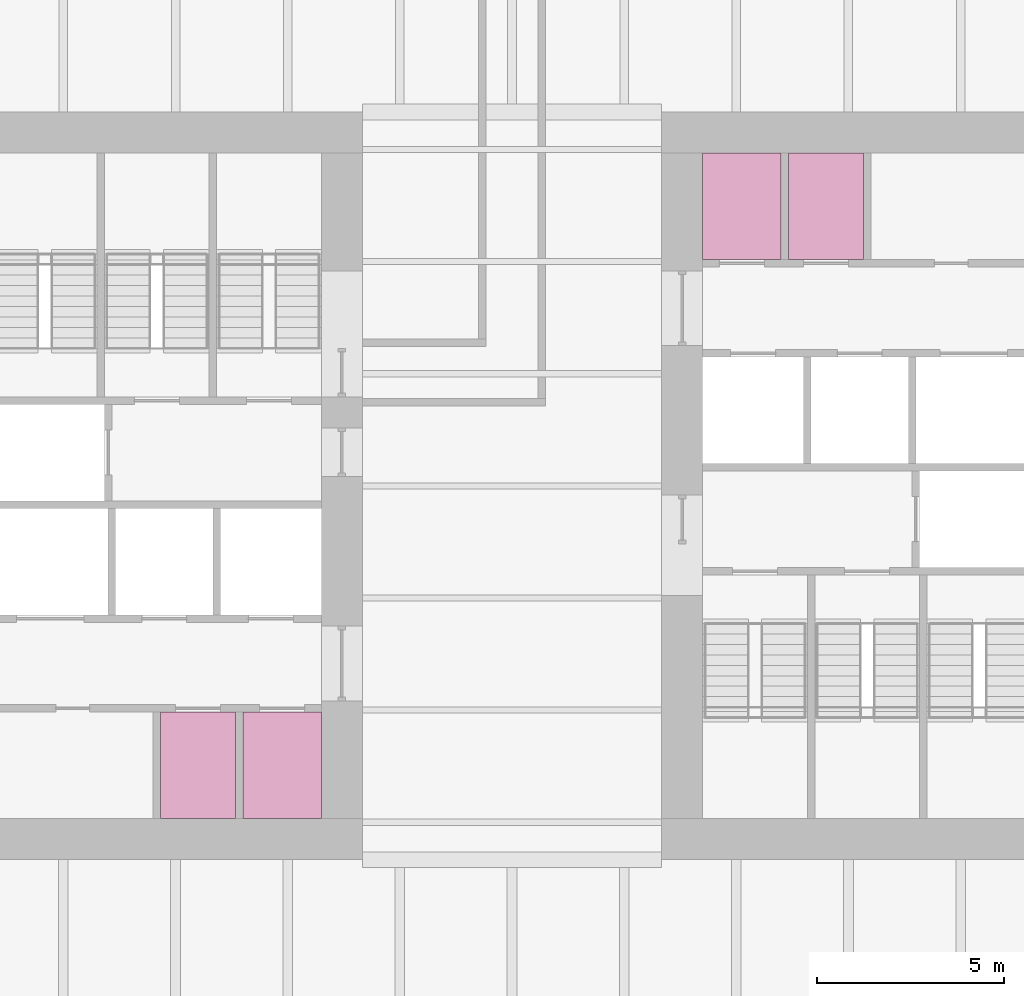
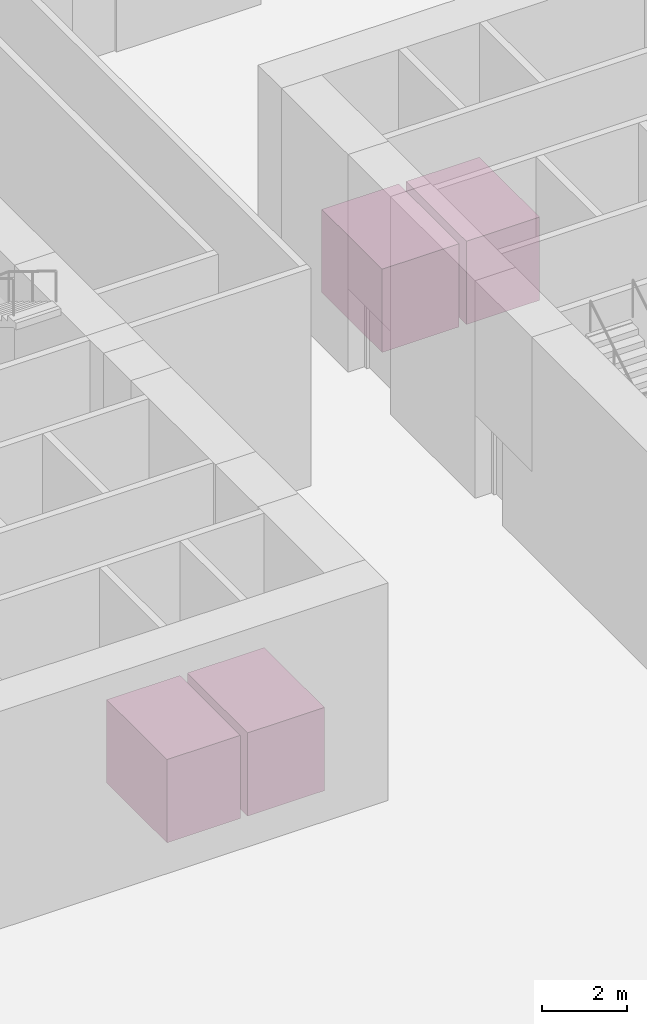
# One storey, part 26 of 28: 4 transport elements.
"""IFC4 building model written with IfcOpenShell, lengths in metres."""

import ifcopenshell
import ifcopenshell.guid

model = None  # the IFC model being written
_history = None  # IfcOwnerHistory: only IFC2X3 demands one
_inside = {}  # id of a spatial element -> (the spatial element, [elements in it])
_under = {}  # id of a project, library or spatial element -> (it, [spatial elements below it])
_declared = {}  # id of a project -> (the project, [libraries it declares])
_typed = {}  # id of a type object -> (the type object, [elements of that type])
_made_of = {}  # id of a material, layer set ... -> (it, [elements and type objects made of it])


def new_model(schema):
    """Start an empty IFC model of exactly this schema.

    Asked for "IFC4X3", IfcOpenShell would pick the latest addendum, in which some entities
    have other attributes; the version numbers below select the first issue.
    IFC2X3 requires an IfcOwnerHistory on every rooted entity: one is made here for all.
    """
    global model, _history
    if schema == "IFC4X3":
        model = ifcopenshell.file(schema_version=(4, 3, 0, 0))
    else:
        model = ifcopenshell.file(schema=schema)
    _inside.clear()
    _under.clear()
    _declared.clear()
    _typed.clear()
    _made_of.clear()
    _history = None
    if model.schema == "IFC2X3":
        org = make("IfcOrganization", Name="unknown")
        user = make(
            "IfcPersonAndOrganization",
            ThePerson=make("IfcPerson", FamilyName="unknown"),
            TheOrganization=org,
        )
        app = make(
            "IfcApplication",
            ApplicationDeveloper=org,
            Version="unknown",
            ApplicationFullName="unknown",
            ApplicationIdentifier="unknown",
        )
        _history = make(
            "IfcOwnerHistory",
            OwningUser=user,
            OwningApplication=app,
            ChangeAction="ADDED",
            CreationDate=0,
        )
    return model


def make(cls, **values):
    """One entity of the class cls with the attributes given. An attribute that is None is left unset."""
    return model.create_entity(
        cls, **{name: value for name, value in values.items() if value is not None}
    )


def rooted(cls, **values):
    """An entity with a GlobalId (a new one), such as an element, a storey or a relation."""
    return make(cls, GlobalId=ifcopenshell.guid.new(), OwnerHistory=_history, **values)


def si_unit(unit_type, name, prefix=None):
    """IfcSIUnit, for example si_unit("LENGTHUNIT", "METRE", prefix="MILLI")."""
    return make("IfcSIUnit", UnitType=unit_type, Prefix=prefix, Name=name)


def assignment(units):
    """IfcUnitAssignment: the units of a project."""
    return None if units is None else make("IfcUnitAssignment", Units=units)


def point(xyz):
    """IfcCartesianPoint."""
    return None if xyz is None else make("IfcCartesianPoint", Coordinates=xyz)


def direction(xyz):
    """IfcDirection."""
    return None if xyz is None else make("IfcDirection", DirectionRatios=xyz)


def frame(location, z_axis=None, x_axis=None):
    """IfcAxis2Placement3D, a coordinate frame: its origin and axes. An axis left out is left unset."""
    return make(
        "IfcAxis2Placement3D",
        Location=point(location),
        Axis=direction(z_axis),
        RefDirection=direction(x_axis),
    )


def frame_2d(location, x_axis=None):
    """IfcAxis2Placement2D, a coordinate frame in the plane: its origin and x axis."""
    return make(
        "IfcAxis2Placement2D", Location=point(location), RefDirection=direction(x_axis)
    )


def origin():
    """The frame at (0, 0, 0) with its axes left unset."""
    return frame((0.0, 0.0, 0.0))


def origin_2d():
    """The frame at (0, 0) in the plane with its x axis left unset."""
    return frame_2d((0.0, 0.0))


def place(relative_to, where):
    """IfcLocalPlacement: puts the frame where relative to a parent placement (None: the world)."""
    return make(
        "IfcLocalPlacement", PlacementRelTo=relative_to, RelativePlacement=where
    )


def context(
    kind, dimensions, precision=None, world=None, true_north=None, identifier=None
):
    """IfcGeometricRepresentationContext, for example the 3D "Model" context."""
    return make(
        "IfcGeometricRepresentationContext",
        ContextIdentifier=identifier,
        ContextType=kind,
        CoordinateSpaceDimension=dimensions,
        Precision=precision,
        WorldCoordinateSystem=world,
        TrueNorth=true_north,
    )


def subcontext(parent, identifier, kind, view, scale=None):
    """IfcGeometricRepresentationSubContext, for example "Body" below "Model"."""
    return make(
        "IfcGeometricRepresentationSubContext",
        ContextIdentifier=identifier,
        ContextType=kind,
        ParentContext=parent,
        TargetScale=scale,
        TargetView=view,
    )


def project(units=None, contexts=None):
    """IfcProject with its units and contexts."""
    return rooted(
        "IfcProject",
        Name="project",
        RepresentationContexts=contexts,
        UnitsInContext=assignment(units),
    )


def spatial(cls, under=None, at=None, **own):
    """A site, building, storey or space (cls), placed at a placement, below another one or the project."""
    s = rooted(cls, ObjectPlacement=at, **own)
    if under is not None:
        _under.setdefault(under.id(), (under, []))[1].append(s)
    return s


def profile(cls, at=None, kind="AREA", **sizes):
    """A parametric profile (cls). Its sizes go by their IFC names, for example OverallWidth=200.0."""
    return make(cls, ProfileType=kind, Position=at, **sizes)


def rectangle(**sizes):
    """IfcRectangleProfileDef."""
    return profile("IfcRectangleProfileDef", **sizes)


def extrude(swept, where, along, depth):
    """IfcExtrudedAreaSolid: the profile swept, set in the frame where, extruded along a direction by depth."""
    return make(
        "IfcExtrudedAreaSolid",
        SweptArea=swept,
        Position=where,
        ExtrudedDirection=direction(along),
        Depth=depth,
    )


def shape(context_of_items, identifier, shape_type, items):
    """IfcShapeRepresentation: the items that make up one representation, for example the "Body"."""
    return make(
        "IfcShapeRepresentation",
        ContextOfItems=context_of_items,
        RepresentationIdentifier=identifier,
        RepresentationType=shape_type,
        Items=items,
    )


def material(Name=None, Category=None):
    """IfcMaterial."""
    return make("IfcMaterial", Name=Name, Category=Category)


def made_of(thing, what):
    """Note that an element or type object is made of a material, layer set ...; save() writes the relation."""
    if what is not None:
        _made_of.setdefault(what.id(), (what, []))[1].append(thing)
    return thing


def type_object(cls, material=None, **own):
    """A type object (cls), such as IfcWallType, which elements share."""
    return made_of(rooted(cls, **own), material)


def element(
    cls,
    number,
    at=None,
    inside=None,
    cuts=None,
    type_object=None,
    material=None,
    context=None,
    identifier="Body",
    shape_type=None,
    held_by="IfcProductDefinitionShape",
    body=None,
    shapes=None,
    **own,
):
    """One element of the class cls, such as IfcWall. Its Tag is "e" and its number.

    at: its placement. inside: the storey or other place that contains it. cuts: it is an
    opening in that element (IfcRelVoidsElement). A single representation is given by context,
    identifier, shape_type and body (its items); several are given by shapes. held_by: the class
    of the entity that holds the representations. save() writes the other relations.
    """
    e = rooted(cls, Tag="e%d" % number, ObjectPlacement=at, **own)
    if body is not None:
        shapes = [shape(context, identifier, shape_type, body)]
    if shapes is not None:
        e.Representation = make(held_by, Representations=shapes)
    if inside is not None:
        _inside.setdefault(inside.id(), (inside, []))[1].append(e)
    if cuts is not None:
        rooted(
            "IfcRelVoidsElement", RelatingBuildingElement=cuts, RelatedOpeningElement=e
        )
    if type_object is not None:
        _typed.setdefault(type_object.id(), (type_object, []))[1].append(e)
    return made_of(e, material)


def aggregate(whole, parts):
    """IfcRelAggregates: a whole, such as a stair, and the parts it consists of."""
    return rooted("IfcRelAggregates", RelatingObject=whole, RelatedObjects=parts)


def save(model, path):
    """Write the relations noted so far, then the file.

    IfcRelAggregates (storeys below a building ...), IfcRelContainedInSpatialStructure (elements
    in a storey), IfcRelDefinesByType, IfcRelAssociatesMaterial and IfcRelDeclares: one each for
    every whole, place, type object, material and project.
    """
    for whole, parts in _under.values():
        aggregate(whole, parts)
    for where, things in _inside.values():
        rooted(
            "IfcRelContainedInSpatialStructure",
            RelatedElements=things,
            RelatingStructure=where,
        )
    for kind, things in _typed.values():
        rooted("IfcRelDefinesByType", RelatedObjects=things, RelatingType=kind)
    for what, things in _made_of.values():
        rooted("IfcRelAssociatesMaterial", RelatedObjects=things, RelatingMaterial=what)
    for by, libraries in _declared.values():
        rooted("IfcRelDeclares", RelatingContext=by, RelatedDefinitions=libraries)
    model.write(path)


model = new_model("IFC4")

# Units and contexts
model_context = context("Model", 3, precision=1e-05, world=origin(), true_north=direction((0.0, 1.0)))
body_context = subcontext(model_context, "Body", "Model", "MODEL_VIEW")
ifc_project = project(units=[si_unit("LENGTHUNIT", "METRE"), si_unit("AREAUNIT", "SQUARE_METRE"), si_unit("VOLUMEUNIT", "CUBIC_METRE"), si_unit("PLANEANGLEUNIT", "RADIAN"), si_unit("MASSUNIT", "GRAM", prefix="KILO")], contexts=[model_context])

# Site, building, storey
site_placement = place(None, origin())
site = spatial("IfcSite", under=ifc_project, at=site_placement, CompositionType="ELEMENT")
building_placement = place(site_placement, origin())
building = spatial("IfcBuilding", under=site, at=building_placement, Name="Millrace Tower", CompositionType="ELEMENT")
storey_placement = place(building_placement, origin())
storey = spatial("IfcBuildingStorey", under=building, at=storey_placement, Name="L01", CompositionType="ELEMENT", Elevation=0.0)

# Transport elements
ifc_material = material(Name="Stainless steel ASTM A240 type 316", Category="steel")
transport_element_type = type_object("IfcTransportElementType", Name="Shuttle lift car 1600 x 2400", PredefinedType="ELEVATOR", material=ifc_material)
transport_element_1_placement = place(storey_placement, frame((-8.39990234375, -7.47509765625, 0.0), z_axis=(0.0, 0.0, 1.0), x_axis=(1.0, 0.0, 0.0)))
element("IfcTransportElement", 1, at=transport_element_1_placement, inside=storey, type_object=transport_element_type, Name="Shuttle lift LF3", PredefinedType="ELEVATOR", context=body_context, shape_type="SweptSolid", body=[
    extrude(rectangle(XDim=2.0, YDim=2.85009765625, at=origin_2d()), origin(), (0.0, 0.0, 1.0), 2.39990234375),
])
transport_element_2_placement = place(storey_placement, frame((-6.14990234375, -7.47509765625, 0.0), z_axis=(0.0, 0.0, 1.0), x_axis=(1.0, 0.0, 0.0)))
element("IfcTransportElement", 2, at=transport_element_2_placement, inside=storey, type_object=transport_element_type, Name="Shuttle lift LF4", PredefinedType="ELEVATOR", context=body_context, shape_type="SweptSolid", body=[
    extrude(rectangle(XDim=2.10009765625, YDim=2.85009765625, at=origin_2d()), origin(), (0.0, 0.0, 1.0), 2.39990234375),
])
transport_element_3_placement = place(storey_placement, frame((8.39990234375, 7.47509765625, 0.0), z_axis=(0.0, 0.0, 1.0), x_axis=(1.0, 0.0, 0.0)))
element("IfcTransportElement", 3, at=transport_element_3_placement, inside=storey, type_object=transport_element_type, Name="Shuttle lift LF11", PredefinedType="ELEVATOR", context=body_context, shape_type="SweptSolid", body=[
    extrude(rectangle(XDim=2.0, YDim=2.85009765625, at=origin_2d()), origin(), (0.0, 0.0, 1.0), 2.39990234375),
])
transport_element_4_placement = place(storey_placement, frame((6.14990234375, 7.47509765625, 0.0), z_axis=(0.0, 0.0, 1.0), x_axis=(1.0, 0.0, 0.0)))
element("IfcTransportElement", 4, at=transport_element_4_placement, inside=storey, type_object=transport_element_type, Name="Shuttle lift LF12", PredefinedType="ELEVATOR", context=body_context, shape_type="SweptSolid", body=[
    extrude(rectangle(XDim=2.10009765625, YDim=2.85009765625, at=origin_2d()), origin(), (0.0, 0.0, 1.0), 2.39990234375),
])

save(model, "model.ifc")
